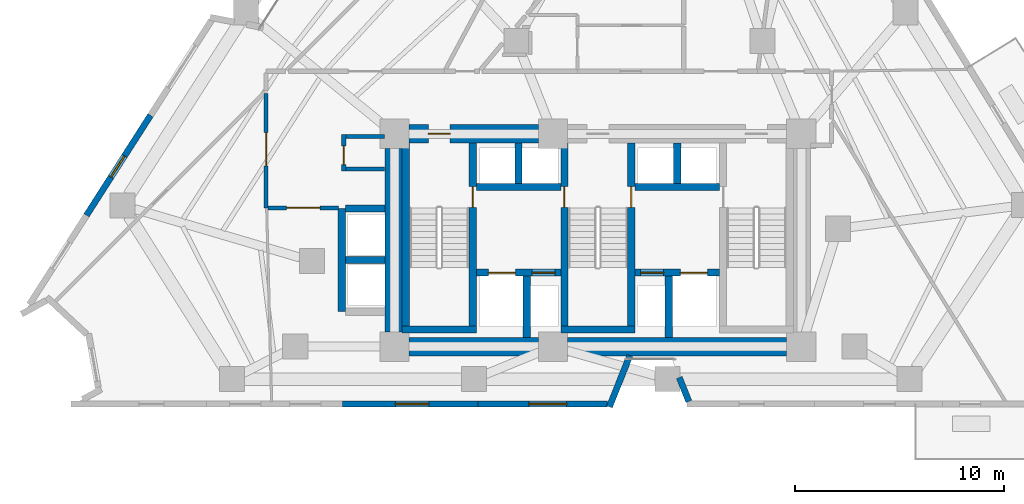
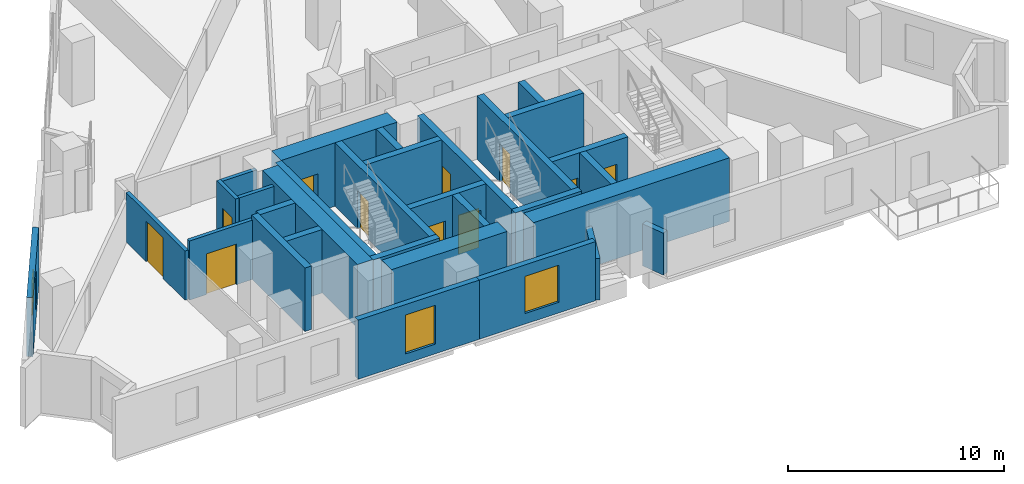
# One storey, part 6 of 12: 31 walls, 11 doors, 3 windows, 14 openings.
"""IFC4 building model written with IfcOpenShell, lengths in metres."""

from ifc_helpers import new_model, si_unit, direction, frame, frame_2d, origin, place, context, subcontext, project, spatial, rectangle, extrude, material, layer, layer_set, type_object, element, fill, save


model = new_model("IFC4")

# Units and contexts
model_context = context("Model", 3, precision=1e-05, world=origin(), true_north=direction((0.0, 1.0)))
body_context = subcontext(model_context, "Body", "Model", "MODEL_VIEW")
ifc_project = project(units=[si_unit("LENGTHUNIT", "METRE"), si_unit("AREAUNIT", "SQUARE_METRE"), si_unit("VOLUMEUNIT", "CUBIC_METRE"), si_unit("PLANEANGLEUNIT", "RADIAN"), si_unit("MASSUNIT", "GRAM", prefix="KILO")], contexts=[model_context])

# Site, building, storey
site_placement = place(None, origin())
site = spatial("IfcSite", under=ifc_project, at=site_placement, CompositionType="ELEMENT")
building_placement = place(site_placement, origin())
building = spatial("IfcBuilding", under=site, at=building_placement, Name="Almagre Mirador Tower", CompositionType="ELEMENT")
storey_placement = place(building_placement, frame((0.0, 0.0, 93.0)))
storey = spatial("IfcBuildingStorey", under=building, at=storey_placement, Name="L23", CompositionType="ELEMENT", Elevation=93.0)

# Walls
ifc_material_1 = material(Name="Precast concrete C50/60", Category="concrete")
ifc_layer_1 = layer(ifc_material_1, 0.300048828125)
ifc_layer_set_1 = layer_set([ifc_layer_1], Name="Precast concrete C50/60")
wall_type_1 = type_object("IfcWallType", Name="WAL-EXT-300", PredefinedType="SOLIDWALL", material=ifc_layer_set_1)
wall_1_placement = place(storey_placement, frame((41.658203125, 1.92529296875, 0.0), z_axis=(0.0, 0.0, 1.0), x_axis=(-0.369583004586, 0.929197719929, 0.0)))
element("IfcWall", 1, at=wall_1_placement, inside=storey, type_object=wall_type_1, Name="L23 expressed almagre precast frame wall 25", PredefinedType="SOLIDWALL", context=body_context, shape_type="SweptSolid", body=[
    extrude(rectangle(XDim=1.234619140625, YDim=0.300048828125, at=frame_2d((0.6171875, 0.0))), origin(), (0.0, 0.0, 1.0), 2.375),
])
wall_2_placement = place(storey_placement, frame((38.83251953125, 4.124755859375, 0.0), z_axis=(0.0, 0.0, 1.0), x_axis=(-0.369557636099, -0.929207809696, 0.0)))
element("IfcWall", 2, at=wall_2_placement, inside=storey, type_object=wall_type_1, Name="L23 expressed almagre precast frame wall 26", PredefinedType="SOLIDWALL", context=body_context, shape_type="SweptSolid", body=[
    extrude(rectangle(XDim=2.641845703125, YDim=0.300048828125, at=frame_2d((1.32080078125, 0.0))), origin(), (0.0, 0.0, 1.0), 2.35009765625),
])

# Wall, opening, window
wall_3_placement = place(storey_placement, frame((37.77294921875, 1.800048828125, 0.0), z_axis=(0.0, 0.0, 1.0), x_axis=(-1.0, 0.0, 0.0)))
wall_3 = element("IfcWall", 3, at=wall_3_placement, inside=storey, type_object=wall_type_1, Name="L23 expressed almagre precast frame wall 27", PredefinedType="SOLIDWALL", context=body_context, shape_type="SweptSolid", body=[
    extrude(rectangle(XDim=6.221923828125, YDim=0.300048828125, at=frame_2d((3.11083984375, 0.0))), origin(), (0.0, 0.0, 1.0), 3.35009765625),
])
opening_1_placement = place(wall_3_placement, frame((1.97509765625, 0.0, 0.60009765625)))
opening_1 = element("IfcOpeningElement", 4, at=opening_1_placement, cuts=wall_3, Name="Opening WN-01", PredefinedType="OPENING", context=body_context, shape_type="SweptSolid", body=[
    extrude(rectangle(XDim=1.800048828125, YDim=2.10009765625, at=frame_2d((0.89990234375, 1.050048828125))), frame((0.0, 0.159902, 0.0), z_axis=(0.0, -1.0, 0.0), x_axis=(1.0, 0.0, 0.0)), (0.0, 0.0, 1.0), 0.320049),
])
ifc_material_2 = material(Name="Dark solar-control laminated hurricane glass", Category="glass")
window_type_1 = type_object("IfcWindowType", Name="WIN-1800X2100", PartitioningType="DOUBLE_PANEL_VERTICAL", PredefinedType="WINDOW", material=ifc_material_2)
window_1_placement = place(opening_1_placement, origin())
window_1 = element("IfcWindow", 5, at=window_1_placement, inside=storey, type_object=window_type_1, Name="L23 recessed hurricane window L23-RST-B", OverallHeight=2.10009765625, OverallWidth=1.800048828125, PartitioningType="SINGLE_PANEL", PredefinedType="WINDOW", context=body_context, shape_type="SweptSolid", body=[
    extrude(rectangle(XDim=1.800048828125, YDim=2.10009765625, at=frame_2d((0.89990234375, 1.050048828125))), frame((0.0, 0.030029296875, 0.0), z_axis=(0.0, -1.0, 0.0), x_axis=(1.0, 0.0, 0.0)), (0.0, 0.0, 1.0), 0.06005859375),
])
fill(opening_1, window_1)

wall_4_placement = place(storey_placement, frame((31.551025390625, 1.800048828125, 0.0), z_axis=(0.0, 0.0, 1.0), x_axis=(-1.0, 0.0, 0.0)))
wall_4 = element("IfcWall", 6, at=wall_4_placement, inside=storey, type_object=wall_type_1, Name="L23 expressed almagre precast frame wall 28", PredefinedType="SOLIDWALL", context=body_context, shape_type="SweptSolid", body=[
    extrude(rectangle(XDim=6.4970703125, YDim=0.300048828125, at=frame_2d((3.24853515625, 0.0))), origin(), (0.0, 0.0, 1.0), 3.35009765625),
])
opening_2_placement = place(wall_4_placement, frame((2.35009765625, 0.0, 0.550048828125)))
opening_2 = element("IfcOpeningElement", 7, at=opening_2_placement, cuts=wall_4, Name="Opening WN-06", PredefinedType="OPENING", context=body_context, shape_type="SweptSolid", body=[
    extrude(rectangle(XDim=1.60009765625, YDim=2.199951171875, at=frame_2d((0.800048828125, 1.10009765625))), frame((0.0, 0.159902, 0.0), z_axis=(0.0, -1.0, 0.0), x_axis=(1.0, 0.0, 0.0)), (0.0, 0.0, 1.0), 0.320049),
])
ifc_material_3 = material(Name="Dark solar-control laminated hurricane glass", Category="glass")
window_type_2 = type_object("IfcWindowType", Name="WIN-1600X2200", PartitioningType="DOUBLE_PANEL_VERTICAL", PredefinedType="WINDOW", material=ifc_material_3)
window_2_placement = place(opening_2_placement, origin())
window_2 = element("IfcWindow", 8, at=window_2_placement, inside=storey, type_object=window_type_2, Name="L23 recessed hurricane window L23-RST-B", OverallHeight=2.199951171875, OverallWidth=1.60009765625, PartitioningType="SINGLE_PANEL", PredefinedType="WINDOW", context=body_context, shape_type="SweptSolid", body=[
    extrude(rectangle(XDim=1.60009765625, YDim=2.199951171875, at=frame_2d((0.800048828125, 1.10009765625))), frame((0.0, 0.030029296875, 0.0), z_axis=(0.0, -1.0, 0.0), x_axis=(1.0, 0.0, 0.0)), (0.0, 0.0, 1.0), 0.06005859375),
])
fill(opening_2, window_2)

wall_5_placement = place(storey_placement, frame((12.796875, 10.84765625, 0.0), z_axis=(0.0, 0.0, 1.0), x_axis=(0.539467898562, 0.842006167686, 0.0)))
wall_5 = element("IfcWall", 9, at=wall_5_placement, inside=storey, type_object=wall_type_1, Name="L23 expressed almagre precast frame wall 36", PredefinedType="SOLIDWALL", context=body_context, shape_type="SweptSolid", body=[
    extrude(rectangle(XDim=5.68603515625, YDim=0.300048828125, at=frame_2d((2.843017578125, 0.0))), origin(), (0.0, 0.0, 1.0), 3.35009765625),
])
opening_3_placement = place(wall_5_placement, frame((2.175048828125, 0.0, 0.800048828125)))
opening_3 = element("IfcOpeningElement", 10, at=opening_3_placement, cuts=wall_5, Name="Opening WN-04", PredefinedType="OPENING", context=body_context, shape_type="SweptSolid", body=[
    extrude(rectangle(XDim=1.199951171875, YDim=1.800048828125, at=frame_2d((0.60009765625, 0.89990234375))), frame((0.0, 0.159902, 0.0), z_axis=(0.0, -1.0, 0.0), x_axis=(1.0, 0.0, 0.0)), (0.0, 0.0, 1.0), 0.320049),
])
ifc_material_4 = material(Name="Dark solar-control laminated hurricane glass", Category="glass")
window_type_3 = type_object("IfcWindowType", Name="WIN-1200X1800", PartitioningType="SINGLE_PANEL", PredefinedType="WINDOW", material=ifc_material_4)
window_3_placement = place(opening_3_placement, origin())
window_3 = element("IfcWindow", 11, at=window_3_placement, inside=storey, type_object=window_type_3, Name="L23 recessed hurricane window L23-RST-E", OverallHeight=1.800048828125, OverallWidth=1.199951171875, PartitioningType="SINGLE_PANEL", PredefinedType="WINDOW", context=body_context, shape_type="SweptSolid", body=[
    extrude(rectangle(XDim=1.199951171875, YDim=1.800048828125, at=frame_2d((0.60009765625, 0.89990234375))), frame((0.0, 0.030029296875, 0.0), z_axis=(0.0, -1.0, 0.0), x_axis=(1.0, 0.0, 0.0)), (0.0, 0.0, 1.0), 0.06005859375),
])
fill(opening_3, window_3)

# Wall, opening, door
ifc_material_5 = material(Name="Gypsum acoustic stud partition", Category="other")
ifc_layer_2 = layer(ifc_material_5, 0.199951171875)
ifc_layer_set_2 = layer_set([ifc_layer_2], Name="Gypsum acoustic stud partition")
wall_type_2 = type_object("IfcWallType", Name="WAL-PRT-200-EI60", PredefinedType="PARTITIONING", material=ifc_layer_set_2)
wall_6_placement = place(storey_placement, frame((25.1201171875, 12.969970703125, 0.0), z_axis=(0.0, 0.0, 1.0), x_axis=(0.0, 1.0, 0.0)))
wall_6 = element("IfcWall", 12, at=wall_6_placement, inside=storey, type_object=wall_type_2, Name="L23 core ancillary west wall", PredefinedType="PARTITIONING", context=body_context, shape_type="SweptSolid", body=[
    extrude(rectangle(XDim=1.739990234375, YDim=0.199951171875, at=frame_2d((0.8701171875, 0.0))), origin(), (0.0, 0.0, 1.0), 3.35009765625),
])
opening_4_placement = place(wall_6_placement, frame((0.304931640625, 0.0, 0.0)))
opening_4 = element("IfcOpeningElement", 13, at=opening_4_placement, cuts=wall_6, Name="Opening ID-03", PredefinedType="OPENING", context=body_context, shape_type="SweptSolid", body=[
    extrude(rectangle(XDim=0.89990234375, YDim=2.10009765625, at=frame_2d((0.449951171875, 1.050048828125))), frame((0.0, 0.110098, 0.0), z_axis=(0.0, -1.0, 0.0), x_axis=(1.0, 0.0, 0.0)), (0.0, 0.0, 1.0), 0.219951),
])
ifc_material_6 = material(Name="Fire-rated hollow steel", Category="steel")
door_type_1 = type_object("IfcDoorType", Name="DOR-FD60-900X2100", OperationType="NOTDEFINED", PredefinedType="DOOR", material=ifc_material_6)
door_1_placement = place(opening_4_placement, origin())
door_1 = element("IfcDoor", 14, at=door_1_placement, inside=storey, type_object=door_type_1, Name="DR-0781 L23 core ancillary corridor door", OperationType="SINGLE_SWING_LEFT", OverallHeight=2.10009765625, OverallWidth=0.89990234375, PredefinedType="DOOR", context=body_context, shape_type="SweptSolid", body=[
    extrude(rectangle(XDim=0.89990234375, YDim=2.10009765625, at=frame_2d((0.449951171875, 1.050048828125))), frame((0.0, 0.02490234375, 0.0), z_axis=(0.0, -1.0, 0.0), x_axis=(1.0, 0.0, 0.0)), (0.0, 0.0, 1.0), 0.050048828125),
])
fill(opening_4, door_1)

# Walls
for number, where, z_axis, x_axis, name in (
    (15, (25.22509765625, 14.6201171875, 0.0), (0.0, 0.0, 1.0), (1.0, 0.0, 0.0), "L23 core ancillary north wall"),
    (16, (25.22509765625, 13.06005859375, 0.0), (0.0, 0.0, 1.0), (1.0, 0.0, 0.0), "L23 core ancillary south wall"),
):
    element("IfcWall", number, at=place(storey_placement, frame(where, z_axis=z_axis, x_axis=x_axis)), inside=storey, type_object=wall_type_2, Name=name, PredefinedType="PARTITIONING", context=body_context, shape_type="SweptSolid", body=[
        extrude(rectangle(XDim=1.85986328125, YDim=0.199951171875, at=frame_2d((0.929931640625, 0.0))), origin(), (0.0, 0.0, 1.0), 3.35009765625),
    ])

# Wall, opening, door
wall_7_placement = place(storey_placement, frame((21.39990234375, 16.669921875, 0.0), z_axis=(0.0, 0.0, 1.0), x_axis=(0.0, -1.0, 0.0)))
wall_7 = element("IfcWall", 17, at=wall_7_placement, inside=storey, type_object=wall_type_2, Name="L23 interior partition 001", PredefinedType="PARTITIONING", context=body_context, shape_type="SweptSolid", body=[
    extrude(rectangle(XDim=5.469970703125, YDim=0.199951171875, at=frame_2d((2.73486328125, 0.0))), origin(), (0.0, 0.0, 1.0), 2.787109375),
])
opening_5_placement = place(wall_7_placement, frame((1.860107421875, 0.0, 0.0)))
opening_5 = element("IfcOpeningElement", 18, at=opening_5_placement, cuts=wall_7, Name="Opening ID-05", PredefinedType="OPENING", context=body_context, shape_type="SweptSolid", body=[
    extrude(rectangle(XDim=1.60009765625, YDim=2.300048828125, at=frame_2d((0.800048828125, 1.14990234375))), frame((0.0, 0.110098, 0.0), z_axis=(0.0, -1.0, 0.0), x_axis=(1.0, 0.0, 0.0)), (0.0, 0.0, 1.0), 0.219951),
])
ifc_material_7 = material(Name="Fire-rated acoustic timber", Category="wood")
door_type_2 = type_object("IfcDoorType", Name="DOR-FD60-1600X2300", OperationType="DOUBLE_DOOR_SINGLE_SWING", PredefinedType="DOOR", material=ifc_material_7)
door_2_placement = place(opening_5_placement, origin())
door_2 = element("IfcDoor", 19, at=door_2_placement, inside=storey, type_object=door_type_2, Name="DR-0786 L23 interior door L23-RCOR to L23-RST-A", OperationType="DOUBLE_DOOR_SINGLE_SWING", OverallHeight=2.300048828125, OverallWidth=1.60009765625, PredefinedType="DOOR", context=body_context, shape_type="SweptSolid", body=[
    extrude(rectangle(XDim=1.60009765625, YDim=2.300048828125, at=frame_2d((0.800048828125, 1.14990234375))), frame((0.0, 0.02490234375, 0.0), z_axis=(0.0, -1.0, 0.0), x_axis=(1.0, 0.0, 0.0)), (0.0, 0.0, 1.0), 0.050048828125),
])
fill(opening_5, door_2)

wall_8_placement = place(storey_placement, frame((21.485107421875, 11.199951171875, 0.0), z_axis=(0.0, 0.0, 1.0), x_axis=(1.0, 0.0, 0.0)))
wall_8 = element("IfcWall", 20, at=wall_8_placement, inside=storey, type_object=wall_type_2, Name="L23 interior partition 002", PredefinedType="PARTITIONING", context=body_context, shape_type="SweptSolid", body=[
    extrude(rectangle(XDim=3.384033203125, YDim=0.199951171875, at=frame_2d((1.69189453125, 0.0))), origin(), (0.0, 0.0, 1.0), 3.35009765625),
])
opening_6_placement = place(wall_8_placement, frame((0.905029296875, 0.0, 0.0)))
opening_6 = element("IfcOpeningElement", 21, at=opening_6_placement, cuts=wall_8, Name="Opening ID-05", PredefinedType="OPENING", context=body_context, shape_type="SweptSolid", body=[
    extrude(rectangle(XDim=1.60009765625, YDim=2.300048828125, at=frame_2d((0.800048828125, 1.14990234375))), frame((0.0, 0.110098, 0.0), z_axis=(0.0, -1.0, 0.0), x_axis=(1.0, 0.0, 0.0)), (0.0, 0.0, 1.0), 0.219951),
])
door_3_placement = place(opening_6_placement, origin())
door_3 = element("IfcDoor", 22, at=door_3_placement, inside=storey, type_object=door_type_2, Name="DR-0787 L23 interior door L23-RCOR to L23-RST-B", OperationType="DOUBLE_DOOR_SINGLE_SWING", OverallHeight=2.300048828125, OverallWidth=1.60009765625, PredefinedType="DOOR", context=body_context, shape_type="SweptSolid", body=[
    extrude(rectangle(XDim=1.60009765625, YDim=2.300048828125, at=frame_2d((0.800048828125, 1.14990234375))), frame((0.0, 0.02490234375, 0.0), z_axis=(0.0, -1.0, 0.0), x_axis=(1.0, 0.0, 0.0)), (0.0, 0.0, 1.0), 0.050048828125),
])
fill(opening_6, door_3)

# Wall
ifc_material_8 = material(Name="Concrete C60/75", Category="concrete")
ifc_layer_3 = layer(ifc_material_8, 0.35009765625)
ifc_layer_set_3 = layer_set([ifc_layer_3], Name="Concrete C60/75")
wall_type_3 = type_object("IfcWallType", Name="WAL-SHF-350", PredefinedType="SOLIDWALL", material=ifc_layer_set_3)
wall_9_placement = place(storey_placement, frame((28.10009765625, 5.199951171875, 0.0), z_axis=(0.0, 0.0, 1.0), x_axis=(0.0, 1.0, 0.0)))
element("IfcWall", 23, at=wall_9_placement, inside=storey, type_object=wall_type_3, Name="L23 shaft wall ST1-W", PredefinedType="SOLIDWALL", context=body_context, shape_type="SweptSolid", body=[
    extrude(rectangle(XDim=9.10009765625, YDim=0.35009765625, at=frame_2d((4.550048828125, 0.0))), origin(), (0.0, 0.0, 1.0), 3.60009765625),
])

# Wall, opening, door
wall_10_placement = place(storey_placement, frame((31.300048828125, 5.199951171875, 0.0), z_axis=(0.0, 0.0, 1.0), x_axis=(0.0, 1.0, 0.0)))
wall_10 = element("IfcWall", 24, at=wall_10_placement, inside=storey, type_object=wall_type_3, Name="L23 shaft wall ST1-E", PredefinedType="SOLIDWALL", context=body_context, shape_type="SweptSolid", body=[
    extrude(rectangle(XDim=9.10009765625, YDim=0.35009765625, at=frame_2d((4.550048828125, 0.0))), origin(), (0.0, 0.0, 1.0), 3.60009765625),
])
opening_7_placement = place(wall_10_placement, frame((6.02001953125, 0.0, 0.0)))
opening_7 = element("IfcOpeningElement", 25, at=opening_7_placement, cuts=wall_10, Name="Opening FD-01", PredefinedType="OPENING", context=body_context, shape_type="SweptSolid", body=[
    extrude(rectangle(XDim=1.0, YDim=2.14990234375, at=frame_2d((0.5, 1.074951171875))), frame((0.0, 0.185049, 0.0), z_axis=(0.0, -1.0, 0.0), x_axis=(1.0, 0.0, 0.0)), (0.0, 0.0, 1.0), 0.370098),
])
ifc_material_9 = material(Name="Fire-rated hollow steel", Category="steel")
door_type_3 = type_object("IfcDoorType", Name="DOR-FFL-1000X2150", OperationType="NOTDEFINED", PredefinedType="DOOR", material=ifc_material_9)
door_4_placement = place(opening_7_placement, origin())
door_4 = element("IfcDoor", 26, at=door_4_placement, inside=storey, type_object=door_type_3, Name="DR-0782 L23 FFL1-ST1 smokeproof door", OperationType="SINGLE_SWING_LEFT", OverallHeight=2.14990234375, OverallWidth=1.0, PredefinedType="DOOR", context=body_context, shape_type="SweptSolid", body=[
    extrude(rectangle(XDim=1.0, YDim=2.14990234375, at=frame_2d((0.5, 1.074951171875))), frame((0.0, 0.02490234375, 0.0), z_axis=(0.0, -1.0, 0.0), x_axis=(1.0, 0.0, 0.0)), (0.0, 0.0, 1.0), 0.050048828125),
])
fill(opening_7, door_4)

# Wall
wall_11_placement = place(storey_placement, frame((27.925048828125, 5.375, 0.0), z_axis=(0.0, 0.0, 1.0), x_axis=(1.0, 0.0, 0.0)))
element("IfcWall", 27, at=wall_11_placement, inside=storey, type_object=wall_type_3, Name="L23 shaft wall ST1-S", PredefinedType="SOLIDWALL", context=body_context, shape_type="SweptSolid", body=[
    extrude(rectangle(XDim=3.550048828125, YDim=0.35009765625, at=frame_2d((1.77490234375, 0.0))), origin(), (0.0, 0.0, 1.0), 3.60009765625),
])

# Wall, opening, door
wall_12_placement = place(storey_placement, frame((35.699951171875, 5.199951171875, 0.0), z_axis=(0.0, 0.0, 1.0), x_axis=(0.0, 1.0, 0.0)))
wall_12 = element("IfcWall", 28, at=wall_12_placement, inside=storey, type_object=wall_type_3, Name="L23 shaft wall ST2-W", PredefinedType="SOLIDWALL", context=body_context, shape_type="SweptSolid", body=[
    extrude(rectangle(XDim=9.10009765625, YDim=0.35009765625, at=frame_2d((4.550048828125, 0.0))), origin(), (0.0, 0.0, 1.0), 3.60009765625),
])
opening_8_placement = place(wall_12_placement, frame((6.02001953125, 0.0, 0.0)))
opening_8 = element("IfcOpeningElement", 29, at=opening_8_placement, cuts=wall_12, Name="Opening FD-01", PredefinedType="OPENING", context=body_context, shape_type="SweptSolid", body=[
    extrude(rectangle(XDim=1.0, YDim=2.14990234375, at=frame_2d((0.5, 1.074951171875))), frame((0.0, 0.185049, 0.0), z_axis=(0.0, -1.0, 0.0), x_axis=(1.0, 0.0, 0.0)), (0.0, 0.0, 1.0), 0.370098),
])
door_5_placement = place(opening_8_placement, origin())
door_5 = element("IfcDoor", 30, at=door_5_placement, inside=storey, type_object=door_type_3, Name="DR-0783 L23 FFL1-ST2 smokeproof door", OperationType="SINGLE_SWING_RIGHT", OverallHeight=2.14990234375, OverallWidth=1.0, PredefinedType="DOOR", context=body_context, shape_type="SweptSolid", body=[
    extrude(rectangle(XDim=1.0, YDim=2.14990234375, at=frame_2d((0.5, 1.074951171875))), frame((0.0, 0.02490234375, 0.0), z_axis=(0.0, -1.0, 0.0), x_axis=(1.0, 0.0, 0.0)), (0.0, 0.0, 1.0), 0.050048828125),
])
fill(opening_8, door_5)

wall_13_placement = place(storey_placement, frame((38.89990234375, 5.199951171875, 0.0), z_axis=(0.0, 0.0, 1.0), x_axis=(0.0, 1.0, 0.0)))
wall_13 = element("IfcWall", 31, at=wall_13_placement, inside=storey, type_object=wall_type_3, Name="L23 shaft wall ST2-E", PredefinedType="SOLIDWALL", context=body_context, shape_type="SweptSolid", body=[
    extrude(rectangle(XDim=9.10009765625, YDim=0.35009765625, at=frame_2d((4.550048828125, 0.0))), origin(), (0.0, 0.0, 1.0), 3.60009765625),
])
opening_9_placement = place(wall_13_placement, frame((6.02001953125, 0.0, 0.0)))
opening_9 = element("IfcOpeningElement", 32, at=opening_9_placement, cuts=wall_13, Name="Opening FD-01", PredefinedType="OPENING", context=body_context, shape_type="SweptSolid", body=[
    extrude(rectangle(XDim=1.0, YDim=2.14990234375, at=frame_2d((0.5, 1.074951171875))), frame((0.0, 0.185049, 0.0), z_axis=(0.0, -1.0, 0.0), x_axis=(1.0, 0.0, 0.0)), (0.0, 0.0, 1.0), 0.370098),
])
door_6_placement = place(opening_9_placement, origin())
door_6 = element("IfcDoor", 33, at=door_6_placement, inside=storey, type_object=door_type_3, Name="DR-0784 L23 FFL2-ST2 smokeproof door", OperationType="SINGLE_SWING_LEFT", OverallHeight=2.14990234375, OverallWidth=1.0, PredefinedType="DOOR", context=body_context, shape_type="SweptSolid", body=[
    extrude(rectangle(XDim=1.0, YDim=2.14990234375, at=frame_2d((0.5, 1.074951171875))), frame((0.0, 0.02490234375, 0.0), z_axis=(0.0, -1.0, 0.0), x_axis=(1.0, 0.0, 0.0)), (0.0, 0.0, 1.0), 0.050048828125),
])
fill(opening_9, door_6)

# Wall
wall_14_placement = place(storey_placement, frame((35.52490234375, 5.375, 0.0), z_axis=(0.0, 0.0, 1.0), x_axis=(1.0, 0.0, 0.0)))
element("IfcWall", 34, at=wall_14_placement, inside=storey, type_object=wall_type_3, Name="L23 shaft wall ST2-S", PredefinedType="SOLIDWALL", context=body_context, shape_type="SweptSolid", body=[
    extrude(rectangle(XDim=3.550048828125, YDim=0.35009765625, at=frame_2d((1.77490234375, 0.0))), origin(), (0.0, 0.0, 1.0), 3.60009765625),
])

# Wall, openings, doors
wall_15_placement = place(storey_placement, frame((31.47509765625, 8.10009765625, 0.0), z_axis=(0.0, 0.0, 1.0), x_axis=(1.0, 0.0, 0.0)))
wall_15 = element("IfcWall", 35, at=wall_15_placement, inside=storey, type_object=wall_type_3, Name="L23 shaft wall FSAE1-N", PredefinedType="SOLIDWALL", context=body_context, shape_type="SweptSolid", body=[
    extrude(rectangle(XDim=4.0498046875, YDim=0.35009765625, at=frame_2d((2.02490234375, 0.0))), origin(), (0.0, 0.0, 1.0), 3.60009765625),
])
opening_10_placement = place(wall_15_placement, frame((0.574951171875, 0.0, 0.0)))
opening_10 = element("IfcOpeningElement", 36, at=opening_10_placement, cuts=wall_15, Name="Opening LD-03", PredefinedType="OPENING", context=body_context, shape_type="SweptSolid", body=[
    extrude(rectangle(XDim=1.300048828125, YDim=2.25, at=frame_2d((0.64990234375, 1.125))), frame((0.0, 0.185049, 0.0), z_axis=(0.0, -1.0, 0.0), x_axis=(1.0, 0.0, 0.0)), (0.0, 0.0, 1.0), 0.370098),
])
opening_11_placement = place(wall_15_placement, frame((2.675048828125, 0.0, 0.0)))
opening_11 = element("IfcOpeningElement", 37, at=opening_11_placement, cuts=wall_15, Name="Opening LD-01", PredefinedType="OPENING", context=body_context, shape_type="SweptSolid", body=[
    extrude(rectangle(XDim=1.10009765625, YDim=2.199951171875, at=frame_2d((0.550048828125, 1.10009765625))), frame((0.0, 0.185049, 0.0), z_axis=(0.0, -1.0, 0.0), x_axis=(1.0, 0.0, 0.0)), (0.0, 0.0, 1.0), 0.370098),
])
ifc_material_10 = material(Name="Hollow stainless steel", Category="steel")
door_type_4 = type_object("IfcDoorType", Name="DOR-LD-1100X2200", OperationType="DOUBLE_DOOR_SLIDING", PredefinedType="DOOR", material=ifc_material_10)
door_7_placement = place(opening_11_placement, origin())
door_7 = element("IfcDoor", 38, at=door_7_placement, inside=storey, type_object=door_type_4, Name="DR-0799 L23 PL-L1 lift landing door", OperationType="DOUBLE_DOOR_SLIDING", OverallHeight=2.199951171875, OverallWidth=1.10009765625, PredefinedType="DOOR", context=body_context, shape_type="SweptSolid", body=[
    extrude(rectangle(XDim=1.10009765625, YDim=2.199951171875, at=frame_2d((0.550048828125, 1.10009765625))), frame((0.0, 0.02490234375, 0.0), z_axis=(0.0, -1.0, 0.0), x_axis=(1.0, 0.0, 0.0)), (0.0, 0.0, 1.0), 0.050048828125),
])
fill(opening_11, door_7)
ifc_material_11 = material(Name="Hollow stainless steel", Category="steel")
door_type_5 = type_object("IfcDoorType", Name="DOR-LD-1300X2250", OperationType="DOUBLE_DOOR_SLIDING", PredefinedType="DOOR", material=ifc_material_11)
door_8_placement = place(opening_10_placement, origin())
door_8 = element("IfcDoor", 39, at=door_8_placement, inside=storey, type_object=door_type_5, Name="DR-0797 L23 FSAE-1 lift landing door", OperationType="DOUBLE_DOOR_SLIDING", OverallHeight=2.25, OverallWidth=1.300048828125, PredefinedType="DOOR", context=body_context, shape_type="SweptSolid", body=[
    extrude(rectangle(XDim=1.300048828125, YDim=2.25, at=frame_2d((0.64990234375, 1.125))), frame((0.0, 0.02490234375, 0.0), z_axis=(0.0, -1.0, 0.0), x_axis=(1.0, 0.0, 0.0)), (0.0, 0.0, 1.0), 0.050048828125),
])
fill(opening_10, door_8)

wall_16_placement = place(storey_placement, frame((39.074951171875, 8.10009765625, 0.0), z_axis=(0.0, 0.0, 1.0), x_axis=(1.0, 0.0, 0.0)))
wall_16 = element("IfcWall", 40, at=wall_16_placement, inside=storey, type_object=wall_type_3, Name="L23 shaft wall FSAE2-N", PredefinedType="SOLIDWALL", context=body_context, shape_type="SweptSolid", body=[
    extrude(rectangle(XDim=4.050048828125, YDim=0.35009765625, at=frame_2d((2.02490234375, 0.0))), origin(), (0.0, 0.0, 1.0), 3.60009765625),
])
opening_12_placement = place(wall_16_placement, frame((2.175048828125, 0.0, 0.0)))
opening_12 = element("IfcOpeningElement", 41, at=opening_12_placement, cuts=wall_16, Name="Opening LD-03", PredefinedType="OPENING", context=body_context, shape_type="SweptSolid", body=[
    extrude(rectangle(XDim=1.300048828125, YDim=2.25, at=frame_2d((0.64990234375, 1.125))), frame((0.0, 0.185049, 0.0), z_axis=(0.0, -1.0, 0.0), x_axis=(1.0, 0.0, 0.0)), (0.0, 0.0, 1.0), 0.370098),
])
opening_13_placement = place(wall_16_placement, frame((0.27490234375, 0.0, 0.0)))
opening_13 = element("IfcOpeningElement", 42, at=opening_13_placement, cuts=wall_16, Name="Opening LD-01", PredefinedType="OPENING", context=body_context, shape_type="SweptSolid", body=[
    extrude(rectangle(XDim=1.10009765625, YDim=2.199951171875, at=frame_2d((0.550048828125, 1.10009765625))), frame((0.0, 0.185049, 0.0), z_axis=(0.0, -1.0, 0.0), x_axis=(1.0, 0.0, 0.0)), (0.0, 0.0, 1.0), 0.370098),
])
door_9_placement = place(opening_13_placement, origin())
door_9 = element("IfcDoor", 43, at=door_9_placement, inside=storey, type_object=door_type_4, Name="DR-0800 L23 PL-L2 lift landing door", OperationType="DOUBLE_DOOR_SLIDING", OverallHeight=2.199951171875, OverallWidth=1.10009765625, PredefinedType="DOOR", context=body_context, shape_type="SweptSolid", body=[
    extrude(rectangle(XDim=1.10009765625, YDim=2.199951171875, at=frame_2d((0.550048828125, 1.10009765625))), frame((0.0, 0.02490234375, 0.0), z_axis=(0.0, -1.0, 0.0), x_axis=(1.0, 0.0, 0.0)), (0.0, 0.0, 1.0), 0.050048828125),
])
fill(opening_13, door_9)
door_10_placement = place(opening_12_placement, origin())
door_10 = element("IfcDoor", 44, at=door_10_placement, inside=storey, type_object=door_type_5, Name="DR-0798 L23 FSAE-2 lift landing door", OperationType="DOUBLE_DOOR_SLIDING", OverallHeight=2.25, OverallWidth=1.300048828125, PredefinedType="DOOR", context=body_context, shape_type="SweptSolid", body=[
    extrude(rectangle(XDim=1.300048828125, YDim=2.25, at=frame_2d((0.64990234375, 1.125))), frame((0.0, 0.02490234375, 0.0), z_axis=(0.0, -1.0, 0.0), x_axis=(1.0, 0.0, 0.0)), (0.0, 0.0, 1.0), 0.050048828125),
])
fill(opening_12, door_10)

# Walls
for number, where, z_axis, x_axis, name in (
    (45, (33.89990234375, 5.0, 0.0), (0.0, 0.0, 1.0), (0.0, 1.0, 0.0), "L23 shaft wall FSAE1-E"),
    (46, (40.699951171875, 5.0, 0.0), (0.0, 0.0, 1.0), (0.0, 1.0, 0.0), "L23 shaft wall FSAE2-W"),
):
    element("IfcWall", number, at=place(storey_placement, frame(where, z_axis=z_axis, x_axis=x_axis)), inside=storey, type_object=wall_type_3, Name=name, PredefinedType="SOLIDWALL", context=body_context, shape_type="SweptSolid", body=[
        extrude(rectangle(XDim=2.925048828125, YDim=0.35009765625, at=frame_2d((1.46240234375, 0.0))), origin(), (0.0, 0.0, 1.0), 3.60009765625),
    ])
wall_17_placement = place(storey_placement, frame((31.47509765625, 12.199951171875, 0.0), z_axis=(0.0, 0.0, 1.0), x_axis=(1.0, 0.0, 0.0)))
element("IfcWall", 47, at=wall_17_placement, inside=storey, type_object=wall_type_3, Name="L23 shaft wall PLM-S", PredefinedType="SOLIDWALL", context=body_context, shape_type="SweptSolid", body=[
    extrude(rectangle(XDim=4.0498046875, YDim=0.35009765625, at=frame_2d((2.02490234375, 0.0))), origin(), (0.0, 0.0, 1.0), 3.60009765625),
])
wall_18_placement = place(storey_placement, frame((33.5, 12.375, 0.0), z_axis=(0.0, 0.0, 1.0), x_axis=(0.0, 1.0, 0.0)))
element("IfcWall", 48, at=wall_18_placement, inside=storey, type_object=wall_type_3, Name="L23 shaft wall PLM-M", PredefinedType="SOLIDWALL", context=body_context, shape_type="SweptSolid", body=[
    extrude(rectangle(XDim=1.925048828125, YDim=0.35009765625, at=frame_2d((0.96240234375, 0.0))), origin(), (0.0, 0.0, 1.0), 3.60009765625),
])
wall_19_placement = place(storey_placement, frame((39.074951171875, 12.199951171875, 0.0), z_axis=(0.0, 0.0, 1.0), x_axis=(1.0, 0.0, 0.0)))
element("IfcWall", 49, at=wall_19_placement, inside=storey, type_object=wall_type_3, Name="L23 shaft wall PLH-S", PredefinedType="SOLIDWALL", context=body_context, shape_type="SweptSolid", body=[
    extrude(rectangle(XDim=4.050048828125, YDim=0.35009765625, at=frame_2d((2.02490234375, 0.0))), origin(), (0.0, 0.0, 1.0), 3.60009765625),
])
wall_20_placement = place(storey_placement, frame((41.10009765625, 12.375, 0.0), z_axis=(0.0, 0.0, 1.0), x_axis=(0.0, 1.0, 0.0)))
element("IfcWall", 50, at=wall_20_placement, inside=storey, type_object=wall_type_3, Name="L23 shaft wall PLH-M", PredefinedType="SOLIDWALL", context=body_context, shape_type="SweptSolid", body=[
    extrude(rectangle(XDim=1.925048828125, YDim=0.35009765625, at=frame_2d((0.96240234375, 0.0))), origin(), (0.0, 0.0, 1.0), 3.60009765625),
])
wall_21_placement = place(storey_placement, frame((25.02490234375, 6.22509765625, 0.0), z_axis=(0.0, 0.0, 1.0), x_axis=(0.0, 1.0, 0.0)))
element("IfcWall", 51, at=wall_21_placement, inside=storey, type_object=wall_type_3, Name="L23 shaft wall OL-W", PredefinedType="SOLIDWALL", context=body_context, shape_type="SweptSolid", body=[
    extrude(rectangle(XDim=4.949951171875, YDim=0.35009765625, at=frame_2d((2.47509765625, 0.0))), origin(), (0.0, 0.0, 1.0), 3.60009765625),
])
for number, where, z_axis, x_axis, name in (
    (52, (25.199951171875, 8.699951171875, 0.0), (0.0, 0.0, 1.0), (1.0, 0.0, 0.0), "L23 shaft wall OL-M"),
    (53, (25.199951171875, 11.175048828125, 0.0), (0.0, 0.0, 1.0), (1.0, 0.0, 0.0), "L23 shaft wall OL-N"),
):
    element("IfcWall", number, at=place(storey_placement, frame(where, z_axis=z_axis, x_axis=x_axis)), inside=storey, type_object=wall_type_3, Name=name, PredefinedType="SOLIDWALL", context=body_context, shape_type="SweptSolid", body=[
        extrude(rectangle(XDim=1.900146484375, YDim=0.35009765625, at=frame_2d((0.9501953125, 0.0))), origin(), (0.0, 0.0, 1.0), 3.60009765625),
    ])
ifc_material_12 = material(Name="Concrete C70/85", Category="concrete")
ifc_layer_4 = layer(ifc_material_12, 0.89990234375)
ifc_layer_set_4 = layer_set([ifc_layer_4], Name="Concrete C70/85")
wall_type_4 = type_object("IfcWallType", Name="WAL-SHR-900", PredefinedType="SHEAR", material=ifc_layer_set_4)
wall_22_placement = place(storey_placement, frame((28.25, 4.550048828125, 0.0), z_axis=(0.0, 0.0, 1.0), x_axis=(1.0, 0.0, 0.0)))
element("IfcWall", 54, at=wall_22_placement, inside=storey, type_object=wall_type_4, Name="L23 core shear wall S1", PredefinedType="SHEAR", context=body_context, shape_type="SweptSolid", body=[
    extrude(rectangle(XDim=6.199951171875, YDim=0.89990234375, at=frame_2d((3.10009765625, 0.0))), origin(), (0.0, 0.0, 1.0), 3.60009765625),
])
wall_23_placement = place(storey_placement, frame((35.85009765625, 4.550048828125, 0.0), z_axis=(0.0, 0.0, 1.0), x_axis=(1.0, 0.0, 0.0)))
element("IfcWall", 55, at=wall_23_placement, inside=storey, type_object=wall_type_4, Name="L23 core shear wall S2", PredefinedType="SHEAR", context=body_context, shape_type="SweptSolid", body=[
    extrude(rectangle(XDim=10.5, YDim=0.89990234375, at=frame_2d((5.25, 0.0))), origin(), (0.0, 0.0, 1.0), 3.60009765625),
])

# Wall, opening, door
wall_24_placement = place(storey_placement, frame((28.25, 14.75, 0.0), z_axis=(0.0, 0.0, 1.0), x_axis=(1.0, 0.0, 0.0)))
wall_24 = element("IfcWall", 56, at=wall_24_placement, inside=storey, type_object=wall_type_4, Name="L23 core shear wall N1", PredefinedType="SHEAR", context=body_context, shape_type="SweptSolid", body=[
    extrude(rectangle(XDim=6.199951171875, YDim=0.89990234375, at=frame_2d((3.10009765625, 0.0))), origin(), (0.0, 0.0, 1.0), 3.60009765625),
])
opening_14_placement = place(wall_24_placement, frame((0.925048828125, 0.0, 0.0)))
opening_14 = element("IfcOpeningElement", 57, at=opening_14_placement, cuts=wall_24, Name="Opening SD-01", PredefinedType="OPENING", context=body_context, shape_type="SweptSolid", body=[
    extrude(rectangle(XDim=1.050048828125, YDim=2.14990234375, at=frame_2d((0.52490234375, 1.074951171875))), frame((0.0, 0.459951, 0.0), z_axis=(0.0, -1.0, 0.0), x_axis=(1.0, 0.0, 0.0)), (0.0, 0.0, 1.0), 0.919902),
])
ifc_material_13 = material(Name="Fire-rated hollow steel", Category="steel")
door_type_6 = type_object("IfcDoorType", Name="DOR-ST-1050X2150", OperationType="NOTDEFINED", PredefinedType="DOOR", material=ifc_material_13)
door_11_placement = place(opening_14_placement, origin())
door_11 = element("IfcDoor", 58, at=door_11_placement, inside=storey, type_object=door_type_6, Name="DR-0801 L23 protected exit stair ST-1 door", OperationType="SINGLE_SWING_RIGHT", OverallHeight=2.14990234375, OverallWidth=1.050048828125, PredefinedType="DOOR", context=body_context, shape_type="SweptSolid", body=[
    extrude(rectangle(XDim=1.050048828125, YDim=2.14990234375, at=frame_2d((0.52490234375, 1.074951171875))), frame((0.0, 0.02490234375, 0.0), z_axis=(0.0, -1.0, 0.0), x_axis=(1.0, 0.0, 0.0)), (0.0, 0.0, 1.0), 0.050048828125),
])
fill(opening_14, door_11)

# Wall
wall_25_placement = place(storey_placement, frame((27.550048828125, 5.25, 0.0), z_axis=(0.0, 0.0, 1.0), x_axis=(0.0, 1.0, 0.0)))
element("IfcWall", 59, at=wall_25_placement, inside=storey, type_object=wall_type_4, Name="L23 core shear wall W1", PredefinedType="SHEAR", context=body_context, shape_type="SweptSolid", body=[
    extrude(rectangle(XDim=8.800048828125, YDim=0.89990234375, at=frame_2d((4.39990234375, 0.0))), origin(), (0.0, 0.0, 1.0), 3.60009765625),
])

save(model, "model.ifc")
